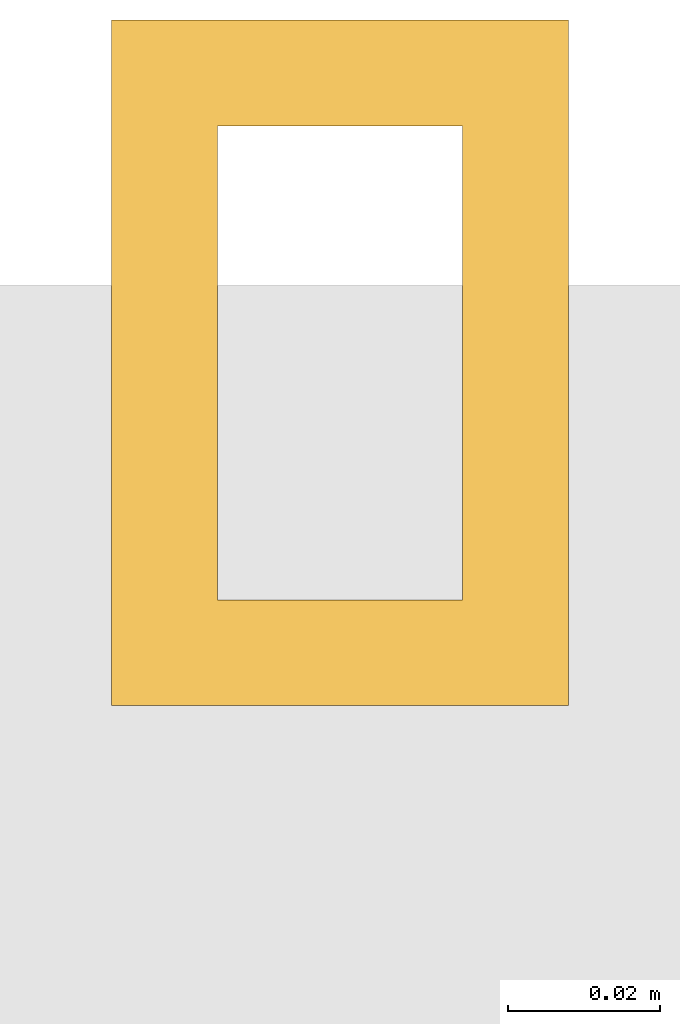
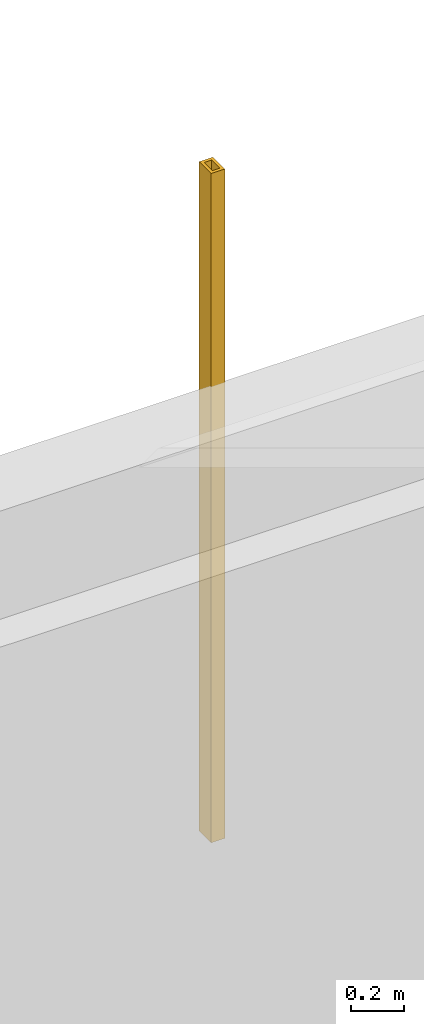
# One storey, part 30 of 31: 1 shading device.
"""IFC4 building model written with IfcOpenShell, lengths in metres."""

from ifc_helpers import new_model, si_unit, direction, frame, origin, origin_2d, place, context, subcontext, project, spatial, hollow_rectangle, extrude, material, material_profile, profile_set, type_object, element, save


model = new_model("IFC4")

# Units and contexts
model_context = context("Model", 3, precision=1e-05, world=origin(), true_north=direction((0.0, 1.0)))
body_context = subcontext(model_context, "Body", "Model", "MODEL_VIEW")
ifc_project = project(units=[si_unit("LENGTHUNIT", "METRE"), si_unit("AREAUNIT", "SQUARE_METRE"), si_unit("VOLUMEUNIT", "CUBIC_METRE"), si_unit("PLANEANGLEUNIT", "RADIAN"), si_unit("MASSUNIT", "GRAM", prefix="KILO")], contexts=[model_context])

# Site, building, storey
site_placement = place(None, origin())
site = spatial("IfcSite", under=ifc_project, at=site_placement, CompositionType="ELEMENT")
building_placement = place(site_placement, origin())
building = spatial("IfcBuilding", under=site, at=building_placement, Name="Punatoya Terracotta Tower", CompositionType="ELEMENT")
storey_placement = place(building_placement, frame((0.0, 0.0, 283.800048828125)))
storey = spatial("IfcBuildingStorey", under=building, at=storey_placement, Name="L67", CompositionType="ELEMENT", Elevation=283.800048828125)

# Shading device
ifc_material = material(Name="Architectural Fired Terracotta", Category="masonry")
ifc_material_profile = material_profile(ifc_material, hollow_rectangle(XDim=0.06005859375, YDim=0.090087890625, WallThickness=0.013916015625, at=origin_2d()))
ifc_profile_set = profile_set([ifc_material_profile], Name="Architectural Fired Terracotta")
shading_device_type = type_object("IfcShadingDeviceType", Name="SHD-JALI-90", PredefinedType="JALOUSIE", material=ifc_profile_set)
shading_device_placement = place(storey_placement, frame((-12.493408203125, 23.449951171875, 0.599853515625), z_axis=(0.0, 0.0, 1.0), x_axis=(1.0, 0.0, 0.0)))
element("IfcShadingDevice", 1, at=shading_device_placement, inside=storey, type_object=shading_device_type, Name="L67 Braced Bay Terracotta Jali Fin N2", PredefinedType="JALOUSIE", context=body_context, shape_type="SweptSolid", body=[
    extrude(hollow_rectangle(XDim=0.06005859375, YDim=0.090087890625, WallThickness=0.013916015625, at=origin_2d()), origin(), (0.0, 0.0, 1.0), 3.10009765625),
])

save(model, "model.ifc")
